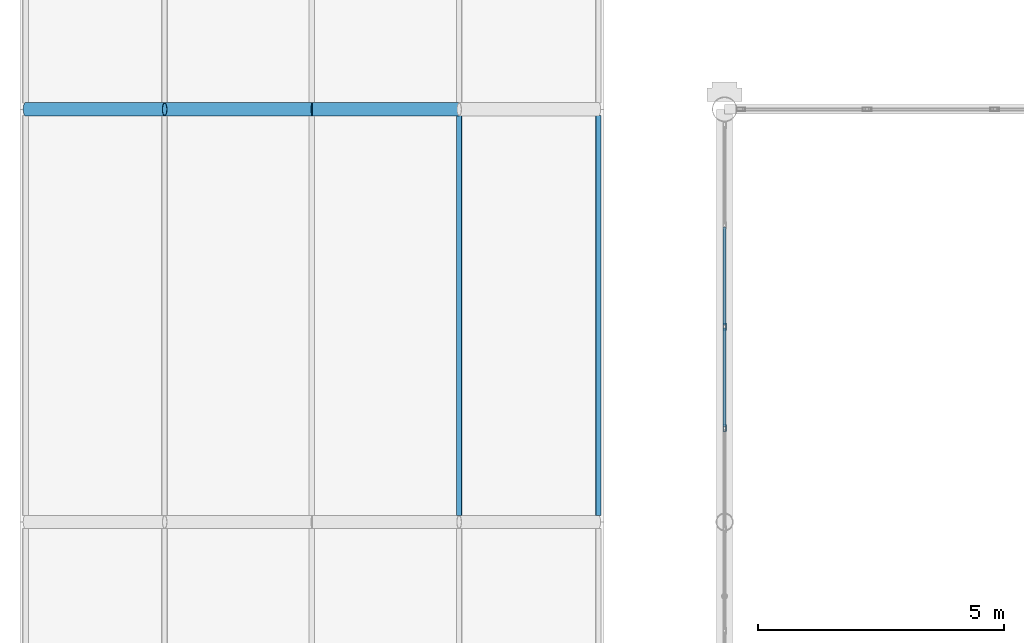
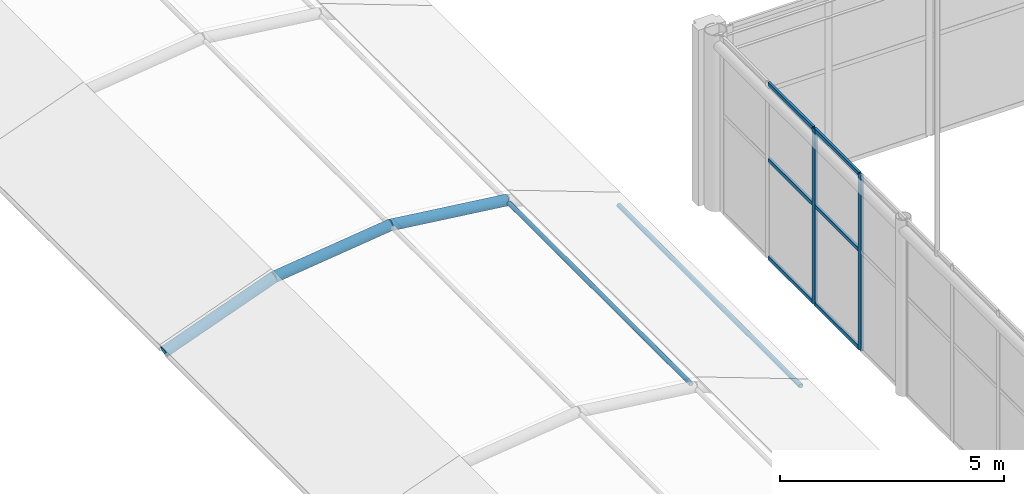
# One storey, part 73 of 167: 13 members, 1 element without a shape of its own.
"""IFC4 building model written with IfcOpenShell, lengths in metres."""

from ifc_helpers import new_model, si_unit, direction, frame, origin, origin_2d, place, context, subcontext, project, spatial, hollow_rectangle, hollow_circle, extrude, material, material_profile, profile_set, type_object, element, aggregate, save


model = new_model("IFC4")

# Units and contexts
model_context = context("Model", 3, precision=1e-05, world=origin(), true_north=direction((0.0, 1.0)))
body_context = subcontext(model_context, "Body", "Model", "MODEL_VIEW")
ifc_project = project(units=[si_unit("LENGTHUNIT", "METRE"), si_unit("AREAUNIT", "SQUARE_METRE"), si_unit("VOLUMEUNIT", "CUBIC_METRE"), si_unit("PLANEANGLEUNIT", "RADIAN"), si_unit("MASSUNIT", "GRAM", prefix="KILO")], contexts=[model_context])

# Site, building, storey
site_placement = place(None, origin())
site = spatial("IfcSite", under=ifc_project, at=site_placement, CompositionType="ELEMENT")
building_placement = place(site_placement, origin())
building = spatial("IfcBuilding", under=site, at=building_placement, Name="Catenary Quay Ferry Terminal", CompositionType="ELEMENT")
storey_placement = place(building_placement, frame((0.0, 0.0, 6.0)))
storey = spatial("IfcBuildingStorey", under=building, at=storey_placement, Name="L01", CompositionType="ELEMENT", Elevation=6.0)

# Curtain wall, members
ifc_material_1 = material(Name="Aluminium and glass", Category="aluminium")
curtain_wall_type = type_object("IfcCurtainWallType", Name="CWG", PredefinedType="NOTDEFINED", material=ifc_material_1)
curtain_wall_placement = place(storey_placement, origin())
curtain_wall = element("IfcCurtainWall", 1, at=curtain_wall_placement, inside=storey, type_object=curtain_wall_type, Name="Gable departure hall curtain wall CW16", PredefinedType="NOTDEFINED")
ifc_material_2 = material(Name="Aluminium", Category="aluminium")
ifc_material_profile_1 = material_profile(ifc_material_2, hollow_rectangle(XDim=0.06005859375, YDim=0.139892578125, WallThickness=0.006103515625, at=origin_2d()), Name="MU2")
ifc_profile_set_1 = profile_set([ifc_material_profile_1], Name="Aluminium")
member_type_1 = type_object("IfcMemberType", Name="MU2", PredefinedType="MULLION", material=ifc_profile_set_1)
member_1_placement = place(storey_placement, frame((25.199951171875, 136.3125, 0.0), z_axis=(0.0, 0.0, 1.0), x_axis=(-1.0, 0.0, 0.0)))
member_1 = element("IfcMember", 2, at=member_1_placement, type_object=member_type_1, Name="CW16 mullion 14", PredefinedType="MULLION", context=body_context, shape_type="SweptSolid", body=[
    extrude(hollow_rectangle(XDim=0.06005859375, YDim=0.139892578125, WallThickness=0.006103515625, at=origin_2d()), origin(), (0.0, 0.0, 1.0), 4.800048828125),
])
member_2_placement = place(storey_placement, frame((25.199951171875, 138.375, 0.0), z_axis=(0.0, 0.0, 1.0), x_axis=(-1.0, 0.0, 0.0)))
member_2 = element("IfcMember", 3, at=member_2_placement, type_object=member_type_1, Name="CW16 mullion 15", PredefinedType="MULLION", context=body_context, shape_type="SweptSolid", body=[
    extrude(hollow_rectangle(XDim=0.06005859375, YDim=0.139892578125, WallThickness=0.006103515625, at=origin_2d()), origin(), (0.0, 0.0, 1.0), 4.800048828125),
])

# Members
ifc_material_3 = material(Name="Steel S355", Category="steel")
ifc_material_profile_2 = material_profile(ifc_material_3, hollow_circle(Radius=0.05712890625, WallThickness=0.00634765625, at=origin_2d()), Name="CHS 114.3x6.3")
ifc_profile_set_2 = profile_set([ifc_material_profile_2], Name="Steel S355")
member_type_2 = type_object("IfcMemberType", Name="PU2 CHS 114.3x6.3", PredefinedType="PURLIN", material=ifc_profile_set_2)
for number, where, z_axis, x_axis, name in (
    (4, (19.797119140625, 134.530029296875, 2.031005859375), (0.0, 1.0, 0.0), (-1.0, 0.0, 0.0), "Purlin PU-FC-09-04"),
    (5, (22.62890625, 134.530029296875, 0.98388671875), (0.0, 1.0, 0.0), (-1.0, 0.0, 0.0), "Purlin PU-FC-09-05"),
):
    element("IfcMember", number, at=place(storey_placement, frame(where, z_axis=z_axis, x_axis=x_axis)), inside=storey, type_object=member_type_2, Name=name, PredefinedType="PURLIN", context=body_context, shape_type="SweptSolid", body=[
        extrude(hollow_circle(Radius=0.05712890625, WallThickness=0.00634765625, at=origin_2d()), origin(), (0.0, 0.0, 1.0), 8.139892578125),
    ])

# Member
ifc_material_4 = material(Name="Aluminium", Category="aluminium")
ifc_material_profile_3 = material_profile(ifc_material_4, hollow_rectangle(XDim=0.06005859375, YDim=0.10009765625, WallThickness=0.0048828125, at=origin_2d()), Name="TR2")
ifc_profile_set_3 = profile_set([ifc_material_profile_3], Name="Aluminium")
member_type_3 = type_object("IfcMemberType", Name="TR2", PredefinedType="USERDEFINED", material=ifc_profile_set_3)
member_3_placement = place(storey_placement, frame((25.199951171875, 136.342529296875, 0.030029296875), z_axis=(0.0, 1.0, 0.0), x_axis=(-1.0, 0.0, 0.0)))
member_3 = element("IfcMember", 6, at=member_3_placement, type_object=member_type_3, Name="CW16 transom 14.1", ObjectType="TRANSOM", PredefinedType="USERDEFINED", context=body_context, shape_type="SweptSolid", body=[
    extrude(hollow_rectangle(XDim=0.06005859375, YDim=0.10009765625, WallThickness=0.0048828125, at=origin_2d()), origin(), (0.0, 0.0, 1.0), 2.00244140625),
])

member_4_placement = place(storey_placement, frame((25.199951171875, 136.342529296875, 2.699951171875), z_axis=(0.0, 1.0, 0.0), x_axis=(-1.0, 0.0, 0.0)))
member_4 = element("IfcMember", 7, at=member_4_placement, type_object=member_type_3, Name="CW16 transom 14.2", ObjectType="TRANSOM", PredefinedType="USERDEFINED", context=body_context, shape_type="SweptSolid", body=[
    extrude(hollow_rectangle(XDim=0.06005859375, YDim=0.10009765625, WallThickness=0.0048828125, at=origin_2d()), origin(), (0.0, 0.0, 1.0), 2.00244140625),
])

member_5_placement = place(storey_placement, frame((25.199951171875, 136.342529296875, 4.77001953125), z_axis=(0.0, 1.0, 0.0), x_axis=(-1.0, 0.0, 0.0)))
member_5 = element("IfcMember", 8, at=member_5_placement, type_object=member_type_3, Name="CW16 transom 14.3", ObjectType="TRANSOM", PredefinedType="USERDEFINED", context=body_context, shape_type="SweptSolid", body=[
    extrude(hollow_rectangle(XDim=0.06005859375, YDim=0.10009765625, WallThickness=0.0048828125, at=origin_2d()), origin(), (0.0, 0.0, 1.0), 2.00244140625),
])

member_6_placement = place(storey_placement, frame((25.199951171875, 138.405029296875, 0.030029296875), z_axis=(0.0, 1.0, 0.0), x_axis=(-1.0, 0.0, 0.0)))
member_6 = element("IfcMember", 9, at=member_6_placement, type_object=member_type_3, Name="CW16 transom 15.1", ObjectType="TRANSOM", PredefinedType="USERDEFINED", context=body_context, shape_type="SweptSolid", body=[
    extrude(hollow_rectangle(XDim=0.06005859375, YDim=0.10009765625, WallThickness=0.0048828125, at=origin_2d()), origin(), (0.0, 0.0, 1.0), 2.00244140625),
])

member_7_placement = place(storey_placement, frame((25.199951171875, 138.405029296875, 2.699951171875), z_axis=(0.0, 1.0, 0.0), x_axis=(-1.0, 0.0, 0.0)))
member_7 = element("IfcMember", 10, at=member_7_placement, type_object=member_type_3, Name="CW16 transom 15.2", ObjectType="TRANSOM", PredefinedType="USERDEFINED", context=body_context, shape_type="SweptSolid", body=[
    extrude(hollow_rectangle(XDim=0.06005859375, YDim=0.10009765625, WallThickness=0.0048828125, at=origin_2d()), origin(), (0.0, 0.0, 1.0), 2.00244140625),
])

member_8_placement = place(storey_placement, frame((25.199951171875, 138.405029296875, 4.77001953125), z_axis=(0.0, 1.0, 0.0), x_axis=(-1.0, 0.0, 0.0)))
member_8 = element("IfcMember", 11, at=member_8_placement, type_object=member_type_3, Name="CW16 transom 15.3", ObjectType="TRANSOM", PredefinedType="USERDEFINED", context=body_context, shape_type="SweptSolid", body=[
    extrude(hollow_rectangle(XDim=0.06005859375, YDim=0.10009765625, WallThickness=0.0048828125, at=origin_2d()), origin(), (0.0, 0.0, 1.0), 2.00244140625),
])

aggregate(curtain_wall, [member_1, member_2, member_3, member_4, member_5, member_6, member_7, member_8])

# Members
ifc_material_5 = material(Name="Steel S355", Category="steel")
ifc_material_profile_4 = material_profile(ifc_material_5, hollow_circle(Radius=0.136474609375, WallThickness=0.012451171875, at=origin_2d()), Name="CHS 273x12.5")
ifc_profile_set_4 = profile_set([ifc_material_profile_4], Name="Steel S355")
member_type_4 = type_object("IfcMemberType", Name="VR2 CHS 273x12.5", PredefinedType="RAFTER", material=ifc_profile_set_4)
member_9_placement = place(storey_placement, frame((10.970947265625, 142.800048828125, 0.98388671875), z_axis=(0.937940762231, 0.0, 0.346795511139), x_axis=(0.0, 1.0, 0.0)))
element("IfcMember", 12, at=member_9_placement, inside=storey, type_object=member_type_4, Name="rib FC-10-02", PredefinedType="RAFTER", context=body_context, shape_type="SweptSolid", body=[
    extrude(hollow_circle(Radius=0.136474609375, WallThickness=0.012451171875, at=origin_2d()), origin(), (0.0, 0.0, 1.0), 3.01953125),
])
for number, where, z_axis, x_axis, name in (
    (13, (13.802978515625, 142.800048828125, 2.031005859375), (0.992509955251, 0.0, 0.122163778298), (0.0, 1.0, 0.0), "rib FC-10-03"),
    (14, (16.800048828125, 142.800048828125, 2.39990234375), (0.992509955251, 0.0, -0.122163778298), (0.0, 1.0, 0.0), "rib FC-10-04"),
):
    element("IfcMember", number, at=place(storey_placement, frame(where, z_axis=z_axis, x_axis=x_axis)), inside=storey, type_object=member_type_4, Name=name, PredefinedType="RAFTER", context=body_context, shape_type="SweptSolid", body=[
        extrude(hollow_circle(Radius=0.136474609375, WallThickness=0.012451171875, at=origin_2d()), origin(), (0.0, 0.0, 1.0), 3.019775390625),
    ])

save(model, "model.ifc")
